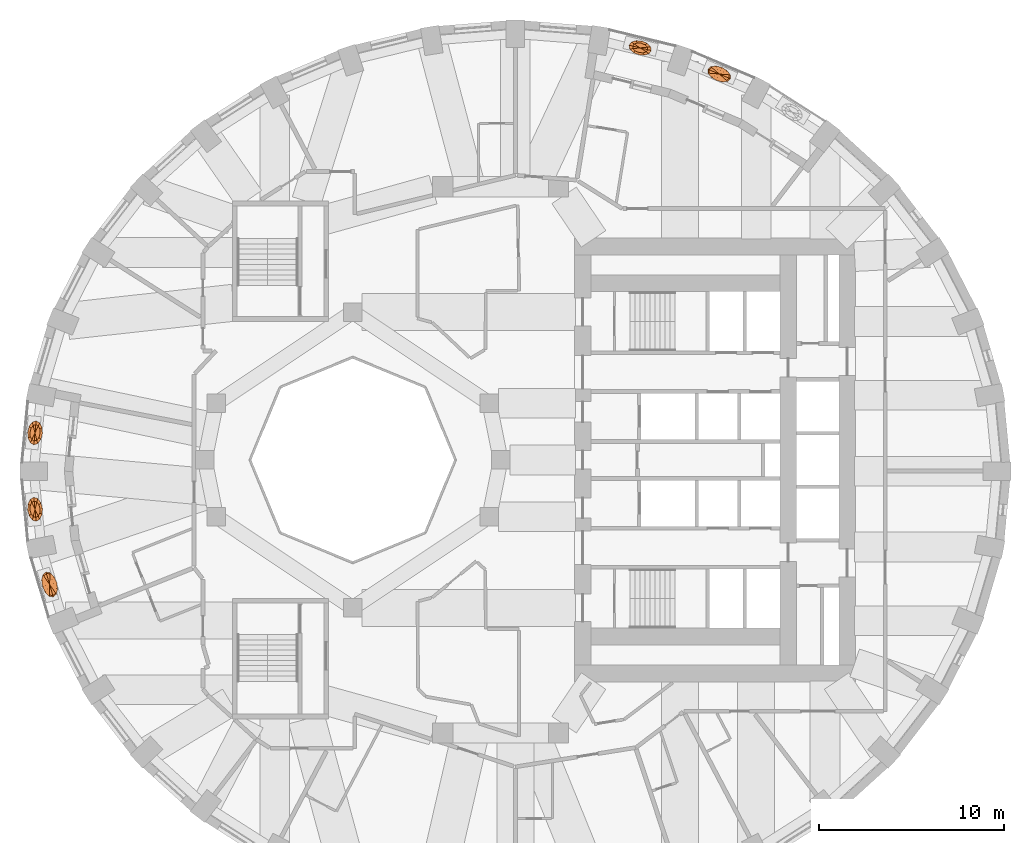
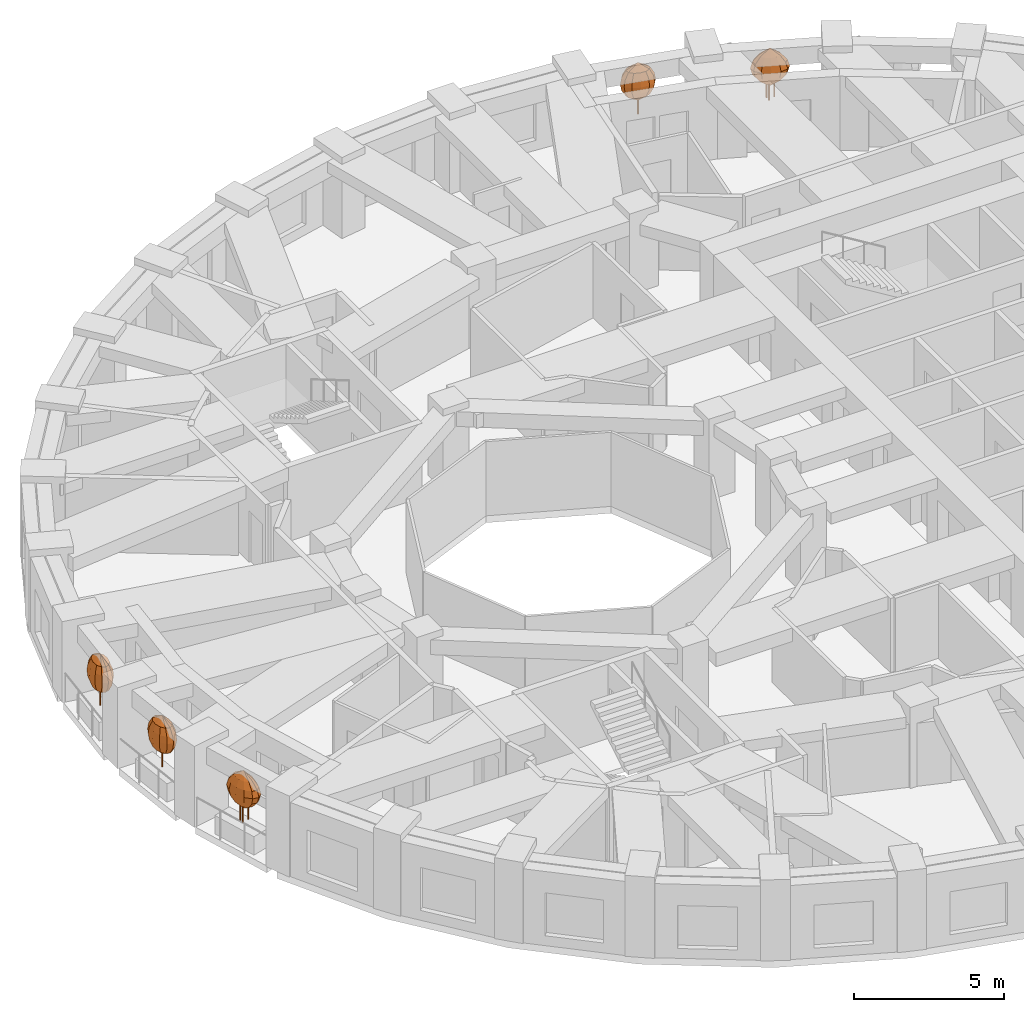
# One storey, part 11 of 12: 5 geographic elements.
"""IFC4 building model written with IfcOpenShell, lengths in metres."""

from ifc_helpers import new_model, si_unit, direction, frame, origin, place, context, subcontext, project, spatial, faceted_brep, material, constituent, constituent_set, type_object, element, save


model = new_model("IFC4")

# Units and contexts
model_context = context("Model", 3, precision=1e-05, world=origin(), true_north=direction((0.0, 1.0)))
body_context = subcontext(model_context, "Body", "Model", "MODEL_VIEW")
ifc_project = project(units=[si_unit("LENGTHUNIT", "METRE"), si_unit("AREAUNIT", "SQUARE_METRE"), si_unit("VOLUMEUNIT", "CUBIC_METRE"), si_unit("PLANEANGLEUNIT", "RADIAN"), si_unit("MASSUNIT", "GRAM", prefix="KILO")], contexts=[model_context])

# Site, building, storey
site_placement = place(None, origin())
site = spatial("IfcSite", under=ifc_project, at=site_placement, CompositionType="ELEMENT")
building_placement = place(site_placement, origin())
building = spatial("IfcBuilding", under=site, at=building_placement, Name="Taillehof Tower", CompositionType="ELEMENT")
storey_placement = place(building_placement, frame((0.0, 0.0, 102.10009765625)))
storey = spatial("IfcBuildingStorey", under=building, at=storey_placement, Name="L28", CompositionType="ELEMENT", Elevation=102.10009765625)

# Geographic elements
ifc_material_1 = material(Name="Tree bark", Category="timber")
ifc_constituent_1 = constituent(ifc_material_1, Name="Trunk", Category="timber")
ifc_material_2 = material(Name="Tree foliage")
ifc_constituent_2 = constituent(ifc_material_2, Name="Crown")
ifc_constituent_set_1 = constituent_set(constituents=[ifc_constituent_1, ifc_constituent_2], Name="Tree TR1 Columnar hornbeam")
geographic_element_type_1 = type_object("IfcGeographicElementType", Name="Tree TR1 Columnar hornbeam", PredefinedType="USERDEFINED", material=ifc_constituent_set_1)
geographic_element_1_placement = place(storey_placement, frame((7.5498046875, 22.290771484375, 0.75)))
element("IfcGeographicElement", 1, at=geographic_element_1_placement, inside=storey, type_object=geographic_element_type_1, Name="Tree TR1 Columnar hornbeam", ObjectType="TREE", PredefinedType="USERDEFINED", context=body_context, shape_type="Brep", body=[
    faceted_brep([(0.030029296875, 0.0, 0.0), (0.021240234375, 0.021240234375, 0.0), (0.021240234375, 0.021240234375, 1.092529296875), (0.030029296875, 0.0, 1.092529296875), (0.0, 0.030029296875, 0.0), (0.0, 0.030029296875, 1.092529296875), (-0.021240234375, 0.021240234375, 0.0), (-0.021240234375, 0.021240234375, 1.092529296875), (-0.030029296875, 0.0, 0.0), (-0.030029296875, 0.0, 1.092529296875), (-0.021240234375, -0.021240234375, 0.0), (-0.021240234375, -0.021240234375, 1.092529296875), (0.0, -0.030029296875, 0.0), (0.0, -0.030029296875, 1.092529296875), (0.021240234375, -0.021240234375, 0.0), (0.021240234375, -0.021240234375, 1.092529296875)], [[[0, 1, 2, 3]], [[1, 4, 5, 2]], [[4, 6, 7, 5]], [[6, 8, 9, 7]], [[8, 10, 11, 9]], [[10, 12, 13, 11]], [[12, 14, 15, 13]], [[14, 0, 3, 15]], [[14, 12, 10, 8, 6, 4, 1, 0]], [[3, 2, 5, 7, 9, 11, 13, 15]]]),
    faceted_brep([(0.0, 0.0, 0.550048828125), (-0.385498046875, -0.039794921875, 0.808349609375), (-0.409912109375, 0.099609375, 0.808349609375), (-0.258056640625, -0.16845703125, 0.808349609375), (-0.061279296875, -0.252197265625, 0.808349609375), (0.15185546875, -0.268310546875, 0.808349609375), (0.32421875, -0.21240234375, 0.808349609375), (0.409912109375, -0.099609375, 0.808349609375), (0.385498046875, 0.039794921875, 0.808349609375), (0.258056640625, 0.16845703125, 0.808349609375), (0.061279296875, 0.252197265625, 0.808349609375), (-0.15185546875, 0.268310546875, 0.808349609375), (-0.32421875, 0.21240234375, 0.808349609375), (-0.521484375, -0.0537109375, 1.066650390625), (-0.554443359375, 0.134765625, 1.066650390625), (-0.34912109375, -0.22802734375, 1.066650390625), (-0.0830078125, -0.341064453125, 1.066650390625), (0.205322265625, -0.36279296875, 1.066650390625), (0.4384765625, -0.287353515625, 1.066650390625), (0.554443359375, -0.134765625, 1.066650390625), (0.521484375, 0.0537109375, 1.066650390625), (0.34912109375, 0.22802734375, 1.066650390625), (0.0830078125, 0.341064453125, 1.066650390625), (-0.205322265625, 0.36279296875, 1.066650390625), (-0.4384765625, 0.287353515625, 1.066650390625), (-0.564453125, -0.05810546875, 1.324951171875), (-0.60009765625, 0.14599609375, 1.324951171875), (-0.377685546875, -0.246826171875, 1.324951171875), (-0.08984375, -0.369140625, 1.324951171875), (0.22216796875, -0.392822265625, 1.324951171875), (0.474609375, -0.31103515625, 1.324951171875), (0.60009765625, -0.14599609375, 1.324951171875), (0.564453125, 0.05810546875, 1.324951171875), (0.377685546875, 0.246826171875, 1.324951171875), (0.08984375, 0.369140625, 1.324951171875), (-0.22216796875, 0.392822265625, 1.324951171875), (-0.474609375, 0.31103515625, 1.324951171875), (-0.521484375, -0.0537109375, 1.583251953125), (-0.554443359375, 0.134765625, 1.583251953125), (-0.34912109375, -0.22802734375, 1.583251953125), (-0.0830078125, -0.341064453125, 1.583251953125), (0.205322265625, -0.36279296875, 1.583251953125), (0.4384765625, -0.287353515625, 1.583251953125), (0.554443359375, -0.134765625, 1.583251953125), (0.521484375, 0.0537109375, 1.583251953125), (0.34912109375, 0.22802734375, 1.583251953125), (0.0830078125, 0.341064453125, 1.583251953125), (-0.205322265625, 0.36279296875, 1.583251953125), (-0.4384765625, 0.287353515625, 1.583251953125), (-0.385498046875, -0.039794921875, 1.841552734375), (-0.409912109375, 0.099609375, 1.841552734375), (-0.258056640625, -0.16845703125, 1.841552734375), (-0.061279296875, -0.252197265625, 1.841552734375), (0.15185546875, -0.268310546875, 1.841552734375), (0.32421875, -0.21240234375, 1.841552734375), (0.409912109375, -0.099609375, 1.841552734375), (0.385498046875, 0.039794921875, 1.841552734375), (0.258056640625, 0.16845703125, 1.841552734375), (0.061279296875, 0.252197265625, 1.841552734375), (-0.15185546875, 0.268310546875, 1.841552734375), (-0.32421875, 0.21240234375, 1.841552734375), (0.0, 0.0, 2.10009765625)], [[[0, 1, 2]], [[0, 3, 1]], [[0, 4, 3]], [[0, 5, 4]], [[0, 6, 5]], [[0, 7, 6]], [[0, 8, 7]], [[0, 9, 8]], [[0, 10, 9]], [[0, 11, 10]], [[0, 12, 11]], [[0, 2, 12]], [[2, 1, 13, 14]], [[1, 3, 15, 13]], [[3, 4, 16, 15]], [[4, 5, 17, 16]], [[5, 6, 18, 17]], [[6, 7, 19, 18]], [[7, 8, 20, 19]], [[8, 9, 21, 20]], [[9, 10, 22, 21]], [[10, 11, 23, 22]], [[11, 12, 24, 23]], [[12, 2, 14, 24]], [[14, 13, 25, 26]], [[13, 15, 27, 25]], [[15, 16, 28, 27]], [[16, 17, 29, 28]], [[17, 18, 30, 29]], [[18, 19, 31, 30]], [[19, 20, 32, 31]], [[20, 21, 33, 32]], [[21, 22, 34, 33]], [[22, 23, 35, 34]], [[23, 24, 36, 35]], [[24, 14, 26, 36]], [[26, 25, 37, 38]], [[25, 27, 39, 37]], [[27, 28, 40, 39]], [[28, 29, 41, 40]], [[29, 30, 42, 41]], [[30, 31, 43, 42]], [[31, 32, 44, 43]], [[32, 33, 45, 44]], [[33, 34, 46, 45]], [[34, 35, 47, 46]], [[35, 36, 48, 47]], [[36, 26, 38, 48]], [[38, 37, 49, 50]], [[37, 39, 51, 49]], [[39, 40, 52, 51]], [[40, 41, 53, 52]], [[41, 42, 54, 53]], [[42, 43, 55, 54]], [[43, 44, 56, 55]], [[44, 45, 57, 56]], [[45, 46, 58, 57]], [[46, 47, 59, 58]], [[47, 48, 60, 59]], [[48, 38, 50, 60]], [[50, 49, 61]], [[49, 51, 61]], [[51, 52, 61]], [[52, 53, 61]], [[53, 54, 61]], [[54, 55, 61]], [[55, 56, 61]], [[56, 57, 61]], [[57, 58, 61]], [[58, 59, 61]], [[59, 60, 61]], [[60, 50, 61]]]),
])
geographic_element_2_placement = place(storey_placement, frame((-25.18798828125, 1.46630859375, 0.75)))
element("IfcGeographicElement", 2, at=geographic_element_2_placement, inside=storey, type_object=geographic_element_type_1, Name="Tree TR1 Columnar hornbeam", ObjectType="TREE", PredefinedType="USERDEFINED", context=body_context, shape_type="Brep", body=[
    faceted_brep([(0.030029296875, 0.0, 0.0), (0.021240234375, 0.021240234375, 0.0), (0.021240234375, 0.021240234375, 1.092529296875), (0.030029296875, 0.0, 1.092529296875), (0.0, 0.030029296875, 0.0), (0.0, 0.030029296875, 1.092529296875), (-0.021240234375, 0.021240234375, 0.0), (-0.021240234375, 0.021240234375, 1.092529296875), (-0.030029296875, 0.0, 0.0), (-0.030029296875, 0.0, 1.092529296875), (-0.021240234375, -0.021240234375, 0.0), (-0.021240234375, -0.021240234375, 1.092529296875), (0.0, -0.030029296875, 0.0), (0.0, -0.030029296875, 1.092529296875), (0.021240234375, -0.021240234375, 0.0), (0.021240234375, -0.021240234375, 1.092529296875)], [[[0, 1, 2, 3]], [[1, 4, 5, 2]], [[4, 6, 7, 5]], [[6, 8, 9, 7]], [[8, 10, 11, 9]], [[10, 12, 13, 11]], [[12, 14, 15, 13]], [[14, 0, 3, 15]], [[14, 12, 10, 8, 6, 4, 1, 0]], [[3, 2, 5, 7, 9, 11, 13, 15]]]),
    faceted_brep([(0.0, 0.0, 0.550048828125), (0.09912109375, -0.395751953125, 0.808349609375), (-0.04248046875, -0.44189453125, 0.808349609375), (0.214111328125, -0.24365234375, 0.808349609375), (0.27197265625, -0.026123046875, 0.808349609375), (0.2568359375, 0.1982421875, 0.808349609375), (0.1728515625, 0.36962890625, 0.808349609375), (0.04248046875, 0.44189453125, 0.808349609375), (-0.09912109375, 0.395751953125, 0.808349609375), (-0.214111328125, 0.24365234375, 0.808349609375), (-0.27197265625, 0.026123046875, 0.808349609375), (-0.2568359375, -0.1982421875, 0.808349609375), (-0.1728515625, -0.36962890625, 0.808349609375), (0.134033203125, -0.535400390625, 1.066650390625), (-0.0576171875, -0.597900390625, 1.066650390625), (0.289794921875, -0.32958984375, 1.066650390625), (0.367919921875, -0.035400390625, 1.066650390625), (0.347412109375, 0.268310546875, 1.066650390625), (0.23388671875, 0.5, 1.066650390625), (0.0576171875, 0.597900390625, 1.066650390625), (-0.134033203125, 0.535400390625, 1.066650390625), (-0.289794921875, 0.32958984375, 1.066650390625), (-0.367919921875, 0.035400390625, 1.066650390625), (-0.347412109375, -0.268310546875, 1.066650390625), (-0.23388671875, -0.5, 1.066650390625), (0.14501953125, -0.57958984375, 1.324951171875), (-0.062255859375, -0.64697265625, 1.324951171875), (0.313720703125, -0.356689453125, 1.324951171875), (0.398193359375, -0.038330078125, 1.324951171875), (0.3759765625, 0.290283203125, 1.324951171875), (0.253173828125, 0.541259765625, 1.324951171875), (0.062255859375, 0.64697265625, 1.324951171875), (-0.14501953125, 0.57958984375, 1.324951171875), (-0.313720703125, 0.356689453125, 1.324951171875), (-0.398193359375, 0.038330078125, 1.324951171875), (-0.3759765625, -0.290283203125, 1.324951171875), (-0.253173828125, -0.541259765625, 1.324951171875), (0.134033203125, -0.535400390625, 1.583251953125), (-0.0576171875, -0.597900390625, 1.583251953125), (0.289794921875, -0.32958984375, 1.583251953125), (0.367919921875, -0.035400390625, 1.583251953125), (0.347412109375, 0.268310546875, 1.583251953125), (0.23388671875, 0.5, 1.583251953125), (0.0576171875, 0.597900390625, 1.583251953125), (-0.134033203125, 0.535400390625, 1.583251953125), (-0.289794921875, 0.32958984375, 1.583251953125), (-0.367919921875, 0.035400390625, 1.583251953125), (-0.347412109375, -0.268310546875, 1.583251953125), (-0.23388671875, -0.5, 1.583251953125), (0.09912109375, -0.395751953125, 1.841552734375), (-0.04248046875, -0.44189453125, 1.841552734375), (0.214111328125, -0.24365234375, 1.841552734375), (0.27197265625, -0.026123046875, 1.841552734375), (0.2568359375, 0.1982421875, 1.841552734375), (0.1728515625, 0.36962890625, 1.841552734375), (0.04248046875, 0.44189453125, 1.841552734375), (-0.09912109375, 0.395751953125, 1.841552734375), (-0.214111328125, 0.24365234375, 1.841552734375), (-0.27197265625, 0.026123046875, 1.841552734375), (-0.2568359375, -0.1982421875, 1.841552734375), (-0.1728515625, -0.36962890625, 1.841552734375), (0.0, 0.0, 2.10009765625)], [[[0, 1, 2]], [[0, 3, 1]], [[0, 4, 3]], [[0, 5, 4]], [[0, 6, 5]], [[0, 7, 6]], [[0, 8, 7]], [[0, 9, 8]], [[0, 10, 9]], [[0, 11, 10]], [[0, 12, 11]], [[0, 2, 12]], [[2, 1, 13, 14]], [[1, 3, 15, 13]], [[3, 4, 16, 15]], [[4, 5, 17, 16]], [[5, 6, 18, 17]], [[6, 7, 19, 18]], [[7, 8, 20, 19]], [[8, 9, 21, 20]], [[9, 10, 22, 21]], [[10, 11, 23, 22]], [[11, 12, 24, 23]], [[12, 2, 14, 24]], [[14, 13, 25, 26]], [[13, 15, 27, 25]], [[15, 16, 28, 27]], [[16, 17, 29, 28]], [[17, 18, 30, 29]], [[18, 19, 31, 30]], [[19, 20, 32, 31]], [[20, 21, 33, 32]], [[21, 22, 34, 33]], [[22, 23, 35, 34]], [[23, 24, 36, 35]], [[24, 14, 26, 36]], [[26, 25, 37, 38]], [[25, 27, 39, 37]], [[27, 28, 40, 39]], [[28, 29, 41, 40]], [[29, 30, 42, 41]], [[30, 31, 43, 42]], [[31, 32, 44, 43]], [[32, 33, 45, 44]], [[33, 34, 46, 45]], [[34, 35, 47, 46]], [[35, 36, 48, 47]], [[36, 26, 38, 48]], [[38, 37, 49, 50]], [[37, 39, 51, 49]], [[39, 40, 52, 51]], [[40, 41, 53, 52]], [[41, 42, 54, 53]], [[42, 43, 55, 54]], [[43, 44, 56, 55]], [[44, 45, 57, 56]], [[45, 46, 58, 57]], [[46, 47, 59, 58]], [[47, 48, 60, 59]], [[48, 38, 50, 60]], [[50, 49, 61]], [[49, 51, 61]], [[51, 52, 61]], [[52, 53, 61]], [[53, 54, 61]], [[54, 55, 61]], [[55, 56, 61]], [[56, 57, 61]], [[57, 58, 61]], [[58, 59, 61]], [[59, 60, 61]], [[60, 50, 61]]]),
])
geographic_element_3_placement = place(storey_placement, frame((-25.18798828125, -2.666259765625, 0.75)))
element("IfcGeographicElement", 3, at=geographic_element_3_placement, inside=storey, type_object=geographic_element_type_1, Name="Tree TR1 Columnar hornbeam", ObjectType="TREE", PredefinedType="USERDEFINED", context=body_context, shape_type="Brep", body=[
    faceted_brep([(0.030029296875, 0.0, 0.0), (0.021240234375, 0.021240234375, 0.0), (0.021240234375, 0.021240234375, 1.092529296875), (0.030029296875, 0.0, 1.092529296875), (0.0, 0.030029296875, 0.0), (0.0, 0.030029296875, 1.092529296875), (-0.021240234375, 0.021240234375, 0.0), (-0.021240234375, 0.021240234375, 1.092529296875), (-0.030029296875, 0.0, 0.0), (-0.030029296875, 0.0, 1.092529296875), (-0.021240234375, -0.021240234375, 0.0), (-0.021240234375, -0.021240234375, 1.092529296875), (0.0, -0.030029296875, 0.0), (0.0, -0.030029296875, 1.092529296875), (0.021240234375, -0.021240234375, 0.0), (0.021240234375, -0.021240234375, 1.092529296875)], [[[0, 1, 2, 3]], [[1, 4, 5, 2]], [[4, 6, 7, 5]], [[6, 8, 9, 7]], [[8, 10, 11, 9]], [[10, 12, 13, 11]], [[12, 14, 15, 13]], [[14, 0, 3, 15]], [[14, 12, 10, 8, 6, 4, 1, 0]], [[3, 2, 5, 7, 9, 11, 13, 15]]]),
    faceted_brep([(0.0, 0.0, 0.550048828125), (0.1728515625, -0.36962890625, 0.808349609375), (0.04248046875, -0.44189453125, 0.808349609375), (0.2568359375, -0.1982421875, 0.808349609375), (0.27197265625, 0.026123046875, 0.808349609375), (0.214111328125, 0.24365234375, 0.808349609375), (0.09912109375, 0.395751953125, 0.808349609375), (-0.04248046875, 0.44189453125, 0.808349609375), (-0.1728515625, 0.36962890625, 0.808349609375), (-0.2568359375, 0.1982421875, 0.808349609375), (-0.27197265625, -0.026123046875, 0.808349609375), (-0.214111328125, -0.24365234375, 0.808349609375), (-0.09912109375, -0.395751953125, 0.808349609375), (0.23388671875, -0.5, 1.066650390625), (0.0576171875, -0.597900390625, 1.066650390625), (0.347412109375, -0.268310546875, 1.066650390625), (0.367919921875, 0.035400390625, 1.066650390625), (0.289794921875, 0.32958984375, 1.066650390625), (0.134033203125, 0.535400390625, 1.066650390625), (-0.0576171875, 0.597900390625, 1.066650390625), (-0.23388671875, 0.5, 1.066650390625), (-0.347412109375, 0.268310546875, 1.066650390625), (-0.367919921875, -0.035400390625, 1.066650390625), (-0.289794921875, -0.32958984375, 1.066650390625), (-0.134033203125, -0.535400390625, 1.066650390625), (0.253173828125, -0.541259765625, 1.324951171875), (0.062255859375, -0.64697265625, 1.324951171875), (0.3759765625, -0.290283203125, 1.324951171875), (0.398193359375, 0.038330078125, 1.324951171875), (0.313720703125, 0.356689453125, 1.324951171875), (0.14501953125, 0.57958984375, 1.324951171875), (-0.062255859375, 0.64697265625, 1.324951171875), (-0.253173828125, 0.541259765625, 1.324951171875), (-0.3759765625, 0.290283203125, 1.324951171875), (-0.398193359375, -0.038330078125, 1.324951171875), (-0.313720703125, -0.356689453125, 1.324951171875), (-0.14501953125, -0.57958984375, 1.324951171875), (0.23388671875, -0.5, 1.583251953125), (0.0576171875, -0.597900390625, 1.583251953125), (0.347412109375, -0.268310546875, 1.583251953125), (0.367919921875, 0.035400390625, 1.583251953125), (0.289794921875, 0.32958984375, 1.583251953125), (0.134033203125, 0.535400390625, 1.583251953125), (-0.0576171875, 0.597900390625, 1.583251953125), (-0.23388671875, 0.5, 1.583251953125), (-0.347412109375, 0.268310546875, 1.583251953125), (-0.367919921875, -0.035400390625, 1.583251953125), (-0.289794921875, -0.32958984375, 1.583251953125), (-0.134033203125, -0.535400390625, 1.583251953125), (0.1728515625, -0.36962890625, 1.841552734375), (0.04248046875, -0.44189453125, 1.841552734375), (0.2568359375, -0.1982421875, 1.841552734375), (0.27197265625, 0.026123046875, 1.841552734375), (0.214111328125, 0.24365234375, 1.841552734375), (0.09912109375, 0.395751953125, 1.841552734375), (-0.04248046875, 0.44189453125, 1.841552734375), (-0.1728515625, 0.36962890625, 1.841552734375), (-0.2568359375, 0.1982421875, 1.841552734375), (-0.27197265625, -0.026123046875, 1.841552734375), (-0.214111328125, -0.24365234375, 1.841552734375), (-0.09912109375, -0.395751953125, 1.841552734375), (0.0, 0.0, 2.10009765625)], [[[0, 1, 2]], [[0, 3, 1]], [[0, 4, 3]], [[0, 5, 4]], [[0, 6, 5]], [[0, 7, 6]], [[0, 8, 7]], [[0, 9, 8]], [[0, 10, 9]], [[0, 11, 10]], [[0, 12, 11]], [[0, 2, 12]], [[2, 1, 13, 14]], [[1, 3, 15, 13]], [[3, 4, 16, 15]], [[4, 5, 17, 16]], [[5, 6, 18, 17]], [[6, 7, 19, 18]], [[7, 8, 20, 19]], [[8, 9, 21, 20]], [[9, 10, 22, 21]], [[10, 11, 23, 22]], [[11, 12, 24, 23]], [[12, 2, 14, 24]], [[14, 13, 25, 26]], [[13, 15, 27, 25]], [[15, 16, 28, 27]], [[16, 17, 29, 28]], [[17, 18, 30, 29]], [[18, 19, 31, 30]], [[19, 20, 32, 31]], [[20, 21, 33, 32]], [[21, 22, 34, 33]], [[22, 23, 35, 34]], [[23, 24, 36, 35]], [[24, 14, 26, 36]], [[26, 25, 37, 38]], [[25, 27, 39, 37]], [[27, 28, 40, 39]], [[28, 29, 41, 40]], [[29, 30, 42, 41]], [[30, 31, 43, 42]], [[31, 32, 44, 43]], [[32, 33, 45, 44]], [[33, 34, 46, 45]], [[34, 35, 47, 46]], [[35, 36, 48, 47]], [[36, 26, 38, 48]], [[38, 37, 49, 50]], [[37, 39, 51, 49]], [[39, 40, 52, 51]], [[40, 41, 53, 52]], [[41, 42, 54, 53]], [[42, 43, 55, 54]], [[43, 44, 56, 55]], [[44, 45, 57, 56]], [[45, 46, 58, 57]], [[46, 47, 59, 58]], [[47, 48, 60, 59]], [[48, 38, 50, 60]], [[50, 49, 61]], [[49, 51, 61]], [[51, 52, 61]], [[52, 53, 61]], [[53, 54, 61]], [[54, 55, 61]], [[55, 56, 61]], [[56, 57, 61]], [[57, 58, 61]], [[58, 59, 61]], [[59, 60, 61]], [[60, 50, 61]]]),
])
ifc_material_3 = material(Name="Tree bark", Category="timber")
ifc_constituent_3 = constituent(ifc_material_3, Name="Trunk", Category="timber")
ifc_material_4 = material(Name="Tree foliage")
ifc_constituent_4 = constituent(ifc_material_4, Name="Crown")
ifc_constituent_set_2 = constituent_set(constituents=[ifc_constituent_3, ifc_constituent_4], Name="Tree TR3 Multi-stem serviceberry")
geographic_element_type_2 = type_object("IfcGeographicElementType", Name="Tree TR3 Multi-stem serviceberry", PredefinedType="USERDEFINED", material=ifc_constituent_set_2)
geographic_element_4_placement = place(storey_placement, frame((11.82177734375, 20.87890625, 0.75)))
element("IfcGeographicElement", 4, at=geographic_element_4_placement, inside=storey, type_object=geographic_element_type_2, Name="Tree TR3 Multi-stem serviceberry", ObjectType="TREE", PredefinedType="USERDEFINED", context=body_context, shape_type="Brep", body=[
    faceted_brep([(0.195068359375, 0.0, 0.0), (0.186767578125, 0.0205078125, 0.0), (0.186767578125, 0.0205078125, 1.04248046875), (0.195068359375, 0.0, 1.04248046875), (0.166259765625, 0.02880859375, 0.0), (0.166259765625, 0.02880859375, 1.04248046875), (0.145751953125, 0.0205078125, 0.0), (0.145751953125, 0.0205078125, 1.04248046875), (0.137451171875, 0.0, 0.0), (0.137451171875, 0.0, 1.04248046875), (0.145751953125, -0.0205078125, 0.0), (0.145751953125, -0.0205078125, 1.04248046875), (0.166259765625, -0.02880859375, 0.0), (0.166259765625, -0.02880859375, 1.04248046875), (0.186767578125, -0.0205078125, 0.0), (0.186767578125, -0.0205078125, 1.04248046875)], [[[0, 1, 2, 3]], [[1, 4, 5, 2]], [[4, 6, 7, 5]], [[6, 8, 9, 7]], [[8, 10, 11, 9]], [[10, 12, 13, 11]], [[12, 14, 15, 13]], [[14, 0, 3, 15]], [[14, 12, 10, 8, 6, 4, 1, 0]], [[3, 2, 5, 7, 9, 11, 13, 15]]]),
    faceted_brep([(-0.05419921875, 0.082275390625, 0.0), (-0.062744140625, 0.102783203125, 0.0), (-0.062744140625, 0.102783203125, 1.04248046875), (-0.05419921875, 0.082275390625, 1.04248046875), (-0.0830078125, 0.111083984375, 0.0), (-0.0830078125, 0.111083984375, 1.04248046875), (-0.103515625, 0.102783203125, 0.0), (-0.103515625, 0.102783203125, 1.04248046875), (-0.112060546875, 0.082275390625, 0.0), (-0.112060546875, 0.082275390625, 1.04248046875), (-0.103515625, 0.061767578125, 0.0), (-0.103515625, 0.061767578125, 1.04248046875), (-0.0830078125, 0.053466796875, 0.0), (-0.0830078125, 0.053466796875, 1.04248046875), (-0.062744140625, 0.061767578125, 0.0), (-0.062744140625, 0.061767578125, 1.04248046875)], [[[0, 1, 2, 3]], [[1, 4, 5, 2]], [[4, 6, 7, 5]], [[6, 8, 9, 7]], [[8, 10, 11, 9]], [[10, 12, 13, 11]], [[12, 14, 15, 13]], [[14, 0, 3, 15]], [[14, 12, 10, 8, 6, 4, 1, 0]], [[3, 2, 5, 7, 9, 11, 13, 15]]]),
    faceted_brep([(-0.05419921875, -0.082275390625, 0.0), (-0.062744140625, -0.061767578125, 0.0), (-0.062744140625, -0.061767578125, 1.04248046875), (-0.05419921875, -0.082275390625, 1.04248046875), (-0.0830078125, -0.053466796875, 0.0), (-0.0830078125, -0.053466796875, 1.04248046875), (-0.103515625, -0.061767578125, 0.0), (-0.103515625, -0.061767578125, 1.04248046875), (-0.112060546875, -0.082275390625, 0.0), (-0.112060546875, -0.082275390625, 1.04248046875), (-0.103515625, -0.102783203125, 0.0), (-0.103515625, -0.102783203125, 1.04248046875), (-0.0830078125, -0.111083984375, 0.0), (-0.0830078125, -0.111083984375, 1.04248046875), (-0.062744140625, -0.102783203125, 0.0), (-0.062744140625, -0.102783203125, 1.04248046875)], [[[0, 1, 2, 3]], [[1, 4, 5, 2]], [[4, 6, 7, 5]], [[6, 8, 9, 7]], [[8, 10, 11, 9]], [[10, 12, 13, 11]], [[12, 14, 15, 13]], [[14, 0, 3, 15]], [[14, 12, 10, 8, 6, 4, 1, 0]], [[3, 2, 5, 7, 9, 11, 13, 15]]]),
    faceted_brep([(0.0, 0.0, 0.5), (-0.34716796875, 0.028564453125, 0.75830078125), (-0.351806640625, 0.14892578125, 0.75830078125), (-0.24951171875, -0.099609375, 0.75830078125), (-0.085205078125, -0.200927734375, 0.75830078125), (0.10205078125, -0.24853515625, 0.75830078125), (0.261962890625, -0.2294921875, 0.75830078125), (0.351806640625, -0.14892578125, 0.75830078125), (0.34716796875, -0.028564453125, 0.75830078125), (0.24951171875, 0.099609375, 0.75830078125), (0.085205078125, 0.200927734375, 0.75830078125), (-0.10205078125, 0.24853515625, 0.75830078125), (-0.261962890625, 0.2294921875, 0.75830078125), (-0.538818359375, 0.044189453125, 1.0166015625), (-0.5458984375, 0.231201171875, 1.0166015625), (-0.38720703125, -0.154541015625, 1.0166015625), (-0.132080078125, -0.31201171875, 1.0166015625), (0.158447265625, -0.3857421875, 1.0166015625), (0.40673828125, -0.356201171875, 1.0166015625), (0.5458984375, -0.231201171875, 1.0166015625), (0.538818359375, -0.044189453125, 1.0166015625), (0.38720703125, 0.154541015625, 1.0166015625), (0.132080078125, 0.31201171875, 1.0166015625), (-0.158447265625, 0.3857421875, 1.0166015625), (-0.40673828125, 0.356201171875, 1.0166015625), (-0.6044921875, 0.049560546875, 1.27490234375), (-0.6123046875, 0.25927734375, 1.27490234375), (-0.4345703125, -0.17333984375, 1.27490234375), (-0.148193359375, -0.349853515625, 1.27490234375), (0.177978515625, -0.4326171875, 1.27490234375), (0.456298828125, -0.3994140625, 1.27490234375), (0.6123046875, -0.25927734375, 1.27490234375), (0.6044921875, -0.049560546875, 1.27490234375), (0.4345703125, 0.17333984375, 1.27490234375), (0.148193359375, 0.349853515625, 1.27490234375), (-0.177978515625, 0.4326171875, 1.27490234375), (-0.456298828125, 0.3994140625, 1.27490234375), (-0.538818359375, 0.044189453125, 1.533447265625), (-0.5458984375, 0.231201171875, 1.533447265625), (-0.38720703125, -0.154541015625, 1.533447265625), (-0.132080078125, -0.31201171875, 1.533447265625), (0.158447265625, -0.3857421875, 1.533447265625), (0.40673828125, -0.356201171875, 1.533447265625), (0.5458984375, -0.231201171875, 1.533447265625), (0.538818359375, -0.044189453125, 1.533447265625), (0.38720703125, 0.154541015625, 1.533447265625), (0.132080078125, 0.31201171875, 1.533447265625), (-0.158447265625, 0.3857421875, 1.533447265625), (-0.40673828125, 0.356201171875, 1.533447265625), (-0.34716796875, 0.028564453125, 1.791748046875), (-0.351806640625, 0.14892578125, 1.791748046875), (-0.24951171875, -0.099609375, 1.791748046875), (-0.085205078125, -0.200927734375, 1.791748046875), (0.10205078125, -0.24853515625, 1.791748046875), (0.261962890625, -0.2294921875, 1.791748046875), (0.351806640625, -0.14892578125, 1.791748046875), (0.34716796875, -0.028564453125, 1.791748046875), (0.24951171875, 0.099609375, 1.791748046875), (0.085205078125, 0.200927734375, 1.791748046875), (-0.10205078125, 0.24853515625, 1.791748046875), (-0.261962890625, 0.2294921875, 1.791748046875), (0.0, 0.0, 2.050048828125)], [[[0, 1, 2]], [[0, 3, 1]], [[0, 4, 3]], [[0, 5, 4]], [[0, 6, 5]], [[0, 7, 6]], [[0, 8, 7]], [[0, 9, 8]], [[0, 10, 9]], [[0, 11, 10]], [[0, 12, 11]], [[0, 2, 12]], [[2, 1, 13, 14]], [[1, 3, 15, 13]], [[3, 4, 16, 15]], [[4, 5, 17, 16]], [[5, 6, 18, 17]], [[6, 7, 19, 18]], [[7, 8, 20, 19]], [[8, 9, 21, 20]], [[9, 10, 22, 21]], [[10, 11, 23, 22]], [[11, 12, 24, 23]], [[12, 2, 14, 24]], [[14, 13, 25, 26]], [[13, 15, 27, 25]], [[15, 16, 28, 27]], [[16, 17, 29, 28]], [[17, 18, 30, 29]], [[18, 19, 31, 30]], [[19, 20, 32, 31]], [[20, 21, 33, 32]], [[21, 22, 34, 33]], [[22, 23, 35, 34]], [[23, 24, 36, 35]], [[24, 14, 26, 36]], [[26, 25, 37, 38]], [[25, 27, 39, 37]], [[27, 28, 40, 39]], [[28, 29, 41, 40]], [[29, 30, 42, 41]], [[30, 31, 43, 42]], [[31, 32, 44, 43]], [[32, 33, 45, 44]], [[33, 34, 46, 45]], [[34, 35, 47, 46]], [[35, 36, 48, 47]], [[36, 26, 38, 48]], [[38, 37, 49, 50]], [[37, 39, 51, 49]], [[39, 40, 52, 51]], [[40, 41, 53, 52]], [[41, 42, 54, 53]], [[42, 43, 55, 54]], [[43, 44, 56, 55]], [[44, 45, 57, 56]], [[45, 46, 58, 57]], [[46, 47, 59, 58]], [[47, 48, 60, 59]], [[48, 38, 50, 60]], [[50, 49, 61]], [[49, 51, 61]], [[51, 52, 61]], [[52, 53, 61]], [[53, 54, 61]], [[54, 55, 61]], [[55, 56, 61]], [[56, 57, 61]], [[57, 58, 61]], [[58, 59, 61]], [[59, 60, 61]], [[60, 50, 61]]]),
])
geographic_element_5_placement = place(storey_placement, frame((-24.39794921875, -6.73583984375, 0.75)))
element("IfcGeographicElement", 5, at=geographic_element_5_placement, inside=storey, type_object=geographic_element_type_2, Name="Tree TR3 Multi-stem serviceberry", ObjectType="TREE", PredefinedType="USERDEFINED", context=body_context, shape_type="Brep", body=[
    faceted_brep([(0.203857421875, 0.0, 0.0), (0.1953125, 0.0205078125, 0.0), (0.1953125, 0.0205078125, 1.04248046875), (0.203857421875, 0.0, 1.04248046875), (0.175048828125, 0.02880859375, 0.0), (0.175048828125, 0.02880859375, 1.04248046875), (0.154541015625, 0.0205078125, 0.0), (0.154541015625, 0.0205078125, 1.04248046875), (0.146240234375, 0.0, 0.0), (0.146240234375, 0.0, 1.04248046875), (0.154541015625, -0.0205078125, 0.0), (0.154541015625, -0.0205078125, 1.04248046875), (0.175048828125, -0.02880859375, 0.0), (0.175048828125, -0.02880859375, 1.04248046875), (0.1953125, -0.0205078125, 0.0), (0.1953125, -0.0205078125, 1.04248046875)], [[[0, 1, 2, 3]], [[1, 4, 5, 2]], [[4, 6, 7, 5]], [[6, 8, 9, 7]], [[8, 10, 11, 9]], [[10, 12, 13, 11]], [[12, 14, 15, 13]], [[14, 0, 3, 15]], [[14, 12, 10, 8, 6, 4, 1, 0]], [[3, 2, 5, 7, 9, 11, 13, 15]]]),
    faceted_brep([(-0.05859375, 0.086669921875, 0.0), (-0.067138671875, 0.10693359375, 0.0), (-0.067138671875, 0.10693359375, 1.04248046875), (-0.05859375, 0.086669921875, 1.04248046875), (-0.08740234375, 0.115478515625, 0.0), (-0.08740234375, 0.115478515625, 1.04248046875), (-0.10791015625, 0.10693359375, 0.0), (-0.10791015625, 0.10693359375, 1.04248046875), (-0.116455078125, 0.086669921875, 0.0), (-0.116455078125, 0.086669921875, 1.04248046875), (-0.10791015625, 0.066162109375, 0.0), (-0.10791015625, 0.066162109375, 1.04248046875), (-0.08740234375, 0.0576171875, 0.0), (-0.08740234375, 0.0576171875, 1.04248046875), (-0.067138671875, 0.066162109375, 0.0), (-0.067138671875, 0.066162109375, 1.04248046875)], [[[0, 1, 2, 3]], [[1, 4, 5, 2]], [[4, 6, 7, 5]], [[6, 8, 9, 7]], [[8, 10, 11, 9]], [[10, 12, 13, 11]], [[12, 14, 15, 13]], [[14, 0, 3, 15]], [[14, 12, 10, 8, 6, 4, 1, 0]], [[3, 2, 5, 7, 9, 11, 13, 15]]]),
    faceted_brep([(-0.05859375, -0.086669921875, 0.0), (-0.067138671875, -0.066162109375, 0.0), (-0.067138671875, -0.066162109375, 1.04248046875), (-0.05859375, -0.086669921875, 1.04248046875), (-0.08740234375, -0.0576171875, 0.0), (-0.08740234375, -0.0576171875, 1.04248046875), (-0.10791015625, -0.066162109375, 0.0), (-0.10791015625, -0.066162109375, 1.04248046875), (-0.116455078125, -0.086669921875, 0.0), (-0.116455078125, -0.086669921875, 1.04248046875), (-0.10791015625, -0.10693359375, 0.0), (-0.10791015625, -0.10693359375, 1.04248046875), (-0.08740234375, -0.115478515625, 0.0), (-0.08740234375, -0.115478515625, 1.04248046875), (-0.067138671875, -0.10693359375, 0.0), (-0.067138671875, -0.10693359375, 1.04248046875)], [[[0, 1, 2, 3]], [[1, 4, 5, 2]], [[4, 6, 7, 5]], [[6, 8, 9, 7]], [[8, 10, 11, 9]], [[10, 12, 13, 11]], [[12, 14, 15, 13]], [[14, 0, 3, 15]], [[14, 12, 10, 8, 6, 4, 1, 0]], [[3, 2, 5, 7, 9, 11, 13, 15]]]),
    faceted_brep([(0.0, 0.0, 0.5), (0.208740234375, -0.301513671875, 0.75830078125), (0.11376953125, -0.385498046875, 0.75830078125), (0.247802734375, -0.136474609375, 0.75830078125), (0.220458984375, 0.06494140625, 0.75830078125), (0.134033203125, 0.2490234375, 0.75830078125), (0.01171875, 0.366455078125, 0.75830078125), (-0.11376953125, 0.385498046875, 0.75830078125), (-0.208740234375, 0.301513671875, 0.75830078125), (-0.247802734375, 0.136474609375, 0.75830078125), (-0.220458984375, -0.06494140625, 0.75830078125), (-0.134033203125, -0.2490234375, 0.75830078125), (-0.01171875, -0.366455078125, 0.75830078125), (0.323974609375, -0.4677734375, 1.0166015625), (0.176513671875, -0.598388671875, 1.0166015625), (0.384521484375, -0.2119140625, 1.0166015625), (0.342041015625, 0.100830078125, 1.0166015625), (0.207763671875, 0.386474609375, 1.0166015625), (0.01806640625, 0.568603515625, 1.0166015625), (-0.176513671875, 0.598388671875, 1.0166015625), (-0.323974609375, 0.4677734375, 1.0166015625), (-0.384521484375, 0.2119140625, 1.0166015625), (-0.342041015625, -0.100830078125, 1.0166015625), (-0.207763671875, -0.386474609375, 1.0166015625), (-0.01806640625, -0.568603515625, 1.0166015625), (0.36328125, -0.52490234375, 1.27490234375), (0.197998046875, -0.67138671875, 1.27490234375), (0.431396484375, -0.237548828125, 1.27490234375), (0.383544921875, 0.11328125, 1.27490234375), (0.233154296875, 0.433837890625, 1.27490234375), (0.020263671875, 0.637939453125, 1.27490234375), (-0.197998046875, 0.67138671875, 1.27490234375), (-0.36328125, 0.52490234375, 1.27490234375), (-0.431396484375, 0.237548828125, 1.27490234375), (-0.383544921875, -0.11328125, 1.27490234375), (-0.233154296875, -0.433837890625, 1.27490234375), (-0.020263671875, -0.637939453125, 1.27490234375), (0.323974609375, -0.4677734375, 1.533447265625), (0.176513671875, -0.598388671875, 1.533447265625), (0.384521484375, -0.2119140625, 1.533447265625), (0.342041015625, 0.100830078125, 1.533447265625), (0.207763671875, 0.386474609375, 1.533447265625), (0.01806640625, 0.568603515625, 1.533447265625), (-0.176513671875, 0.598388671875, 1.533447265625), (-0.323974609375, 0.4677734375, 1.533447265625), (-0.384521484375, 0.2119140625, 1.533447265625), (-0.342041015625, -0.100830078125, 1.533447265625), (-0.207763671875, -0.386474609375, 1.533447265625), (-0.01806640625, -0.568603515625, 1.533447265625), (0.208740234375, -0.301513671875, 1.791748046875), (0.11376953125, -0.385498046875, 1.791748046875), (0.247802734375, -0.136474609375, 1.791748046875), (0.220458984375, 0.06494140625, 1.791748046875), (0.134033203125, 0.2490234375, 1.791748046875), (0.01171875, 0.366455078125, 1.791748046875), (-0.11376953125, 0.385498046875, 1.791748046875), (-0.208740234375, 0.301513671875, 1.791748046875), (-0.247802734375, 0.136474609375, 1.791748046875), (-0.220458984375, -0.06494140625, 1.791748046875), (-0.134033203125, -0.2490234375, 1.791748046875), (-0.01171875, -0.366455078125, 1.791748046875), (0.0, 0.0, 2.050048828125)], [[[0, 1, 2]], [[0, 3, 1]], [[0, 4, 3]], [[0, 5, 4]], [[0, 6, 5]], [[0, 7, 6]], [[0, 8, 7]], [[0, 9, 8]], [[0, 10, 9]], [[0, 11, 10]], [[0, 12, 11]], [[0, 2, 12]], [[2, 1, 13, 14]], [[1, 3, 15, 13]], [[3, 4, 16, 15]], [[4, 5, 17, 16]], [[5, 6, 18, 17]], [[6, 7, 19, 18]], [[7, 8, 20, 19]], [[8, 9, 21, 20]], [[9, 10, 22, 21]], [[10, 11, 23, 22]], [[11, 12, 24, 23]], [[12, 2, 14, 24]], [[14, 13, 25, 26]], [[13, 15, 27, 25]], [[15, 16, 28, 27]], [[16, 17, 29, 28]], [[17, 18, 30, 29]], [[18, 19, 31, 30]], [[19, 20, 32, 31]], [[20, 21, 33, 32]], [[21, 22, 34, 33]], [[22, 23, 35, 34]], [[23, 24, 36, 35]], [[24, 14, 26, 36]], [[26, 25, 37, 38]], [[25, 27, 39, 37]], [[27, 28, 40, 39]], [[28, 29, 41, 40]], [[29, 30, 42, 41]], [[30, 31, 43, 42]], [[31, 32, 44, 43]], [[32, 33, 45, 44]], [[33, 34, 46, 45]], [[34, 35, 47, 46]], [[35, 36, 48, 47]], [[36, 26, 38, 48]], [[38, 37, 49, 50]], [[37, 39, 51, 49]], [[39, 40, 52, 51]], [[40, 41, 53, 52]], [[41, 42, 54, 53]], [[42, 43, 55, 54]], [[43, 44, 56, 55]], [[44, 45, 57, 56]], [[45, 46, 58, 57]], [[46, 47, 59, 58]], [[47, 48, 60, 59]], [[48, 38, 50, 60]], [[50, 49, 61]], [[49, 51, 61]], [[51, 52, 61]], [[52, 53, 61]], [[53, 54, 61]], [[54, 55, 61]], [[55, 56, 61]], [[56, 57, 61]], [[57, 58, 61]], [[58, 59, 61]], [[59, 60, 61]], [[60, 50, 61]]]),
])

save(model, "model.ifc")
